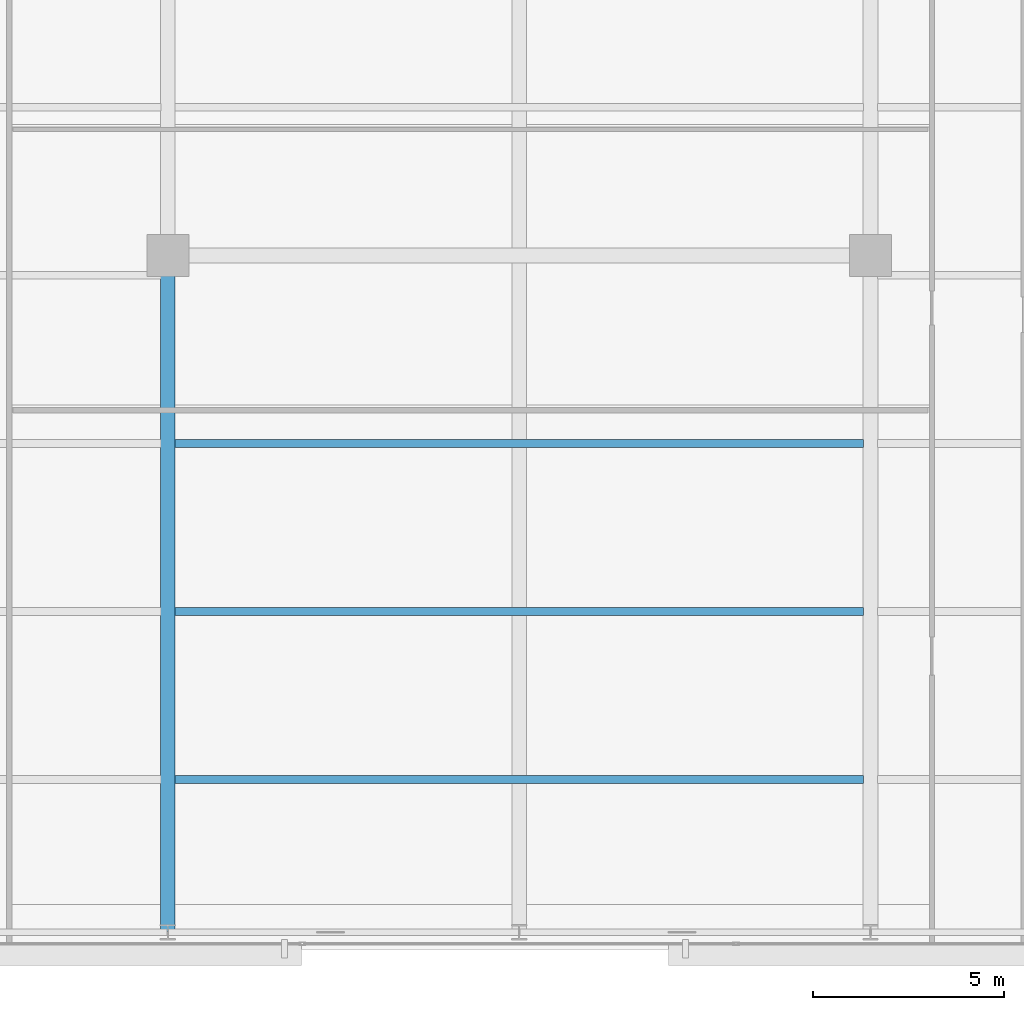
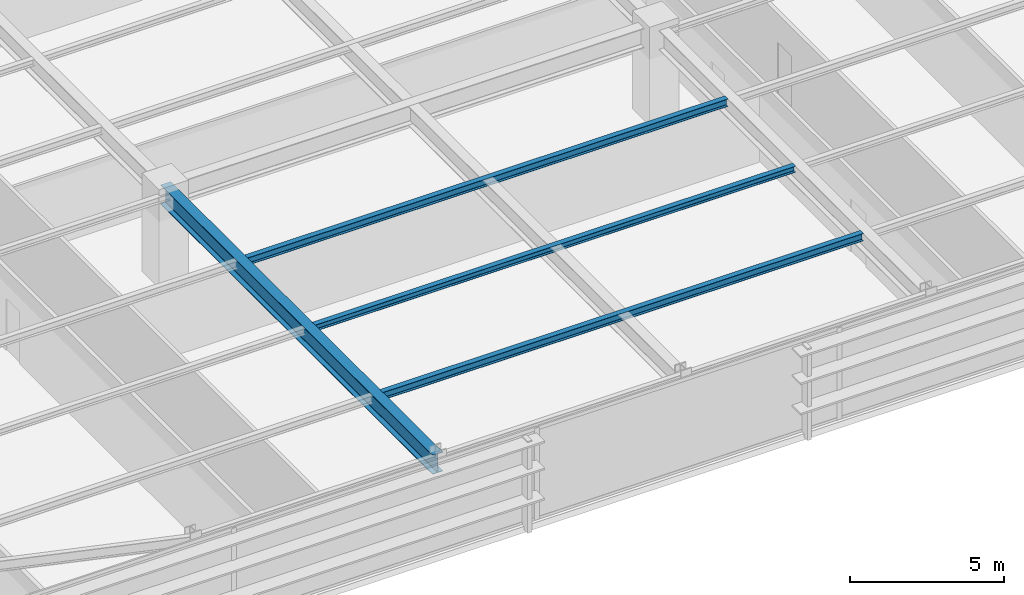
# One storey, part 7 of 32: 4 beams.
"""IFC4 building model written with IfcOpenShell, lengths in metres."""

from ifc_helpers import new_model, si_unit, direction, frame, origin, origin_2d, place, context, subcontext, project, spatial, i_section, extrude, source, transform, mapped, material, material_profile, profile_set, type_object, type_shapes, element, save


model = new_model("IFC4")

# Units and contexts
model_context = context("Model", 3, precision=1e-05, world=origin(), true_north=direction((0.0, 1.0)))
body_context = subcontext(model_context, "Body", "Model", "MODEL_VIEW")
ifc_project = project(units=[si_unit("LENGTHUNIT", "METRE"), si_unit("AREAUNIT", "SQUARE_METRE"), si_unit("VOLUMEUNIT", "CUBIC_METRE"), si_unit("PLANEANGLEUNIT", "RADIAN"), si_unit("MASSUNIT", "GRAM", prefix="KILO")], contexts=[model_context])

# Site, building, storey
site_placement = place(None, origin())
site = spatial("IfcSite", under=ifc_project, at=site_placement, CompositionType="ELEMENT")
building_placement = place(site_placement, origin())
building = spatial("IfcBuilding", under=site, at=building_placement, Name="Varnel Quay Broadcast Tower", CompositionType="ELEMENT")
storey_placement = place(building_placement, frame((0.0, 0.0, 70.5)))
storey = spatial("IfcBuildingStorey", under=building, at=storey_placement, Name="L16", CompositionType="ELEMENT", Elevation=70.5)

# Beams
ifc_material = material(Name="Structural Steel CSA G40.21 350W", Category="steel")
ifc_material_profile_1 = material_profile(ifc_material, i_section(OverallWidth=0.381103515625, OverallDepth=0.77294921875, WebThickness=0.0166015625, FlangeThickness=0.027587890625, FilletRadius=0.01806640625, at=origin_2d()), Name="W760X257")
ifc_profile_set_1 = profile_set([ifc_material_profile_1], Name="Structural Steel CSA G40.21 350W")
beam_type_1 = type_object("IfcBeamType", Name="Girder_W760X257", PredefinedType="BEAM", material=ifc_profile_set_1)
shared_shape_1 = source(origin(), body_context, "Body", "SweptSolid", [
    extrude(i_section(OverallWidth=0.381103515625, OverallDepth=0.77294921875, WebThickness=0.0166015625, FlangeThickness=0.027587890625, FilletRadius=0.01806640625, at=origin_2d()), origin(), (0.0, 0.0, 1.0), 17.68017578125),
])
type_shapes(beam_type_1, [shared_shape_1])
beam_1_placement = place(storey_placement, frame((24.800048828125, 1.669921875, 3.263427734375), z_axis=(0.0, 1.0, 0.0), x_axis=(-1.0, 0.0, 0.0)))
element("IfcBeam", 1, at=beam_1_placement, inside=storey, type_object=beam_type_1, Name="L16 Primary Girder TC-S2-IC-01", PredefinedType="BEAM", context=body_context, shape_type="MappedRepresentation", body=[
    mapped(shared_shape_1, transform((0.0, 0.0, 0.0), x_axis=(1.0, 0.0, 0.0), y_axis=(0.0, 1.0, 0.0), z_axis=(0.0, 0.0, 1.0), scale=1.0)),
])
ifc_material_profile_2 = material_profile(ifc_material, i_section(OverallWidth=0.202880859375, OverallDepth=0.302978515625, WebThickness=0.007568359375, FlangeThickness=0.01318359375, FilletRadius=0.011962890625, at=origin_2d()), Name="W310X60")
ifc_profile_set_2 = profile_set([ifc_material_profile_2], Name="Structural Steel CSA G40.21 350W")
beam_type_2 = type_object("IfcBeamType", Name="Beam_W310X60", PredefinedType="JOIST", material=ifc_profile_set_2)
shared_shape_2 = source(origin(), body_context, "Body", "SweptSolid", [
    extrude(i_section(OverallWidth=0.202880859375, OverallDepth=0.302978515625, WebThickness=0.007568359375, FlangeThickness=0.01318359375, FilletRadius=0.011962890625, at=origin_2d()), origin(), (0.0, 0.0, 1.0), 18.02880859375),
])
type_shapes(beam_type_2, [shared_shape_2])
for number, where, z_axis, x_axis, name in (
    (2, (24.985595703125, 5.64990234375, 3.49853515625), (1.0, 0.0, 0.0), (0.0, 1.0, 0.0), "L16 Central Floor Joist 1"),
    (3, (24.985595703125, 14.449951171875, 3.49853515625), (1.0, 0.0, 0.0), (0.0, 1.0, 0.0), "L16 Central Floor Joist 3"),
):
    element("IfcBeam", number, at=place(storey_placement, frame(where, z_axis=z_axis, x_axis=x_axis)), inside=storey, type_object=beam_type_2, Name=name, PredefinedType="JOIST", context=body_context, shape_type="MappedRepresentation", body=[
        mapped(shared_shape_2, transform((0.0, 0.0, 0.0), x_axis=(1.0, 0.0, 0.0), y_axis=(0.0, 1.0, 0.0), z_axis=(0.0, 0.0, 1.0), scale=1.0)),
    ])
ifc_material_profile_3 = material_profile(ifc_material, i_section(OverallWidth=0.201904296875, OverallDepth=0.2470703125, WebThickness=0.00732421875, FlangeThickness=0.010986328125, FilletRadius=0.010986328125, at=origin_2d()), Name="W250X49")
ifc_profile_set_3 = profile_set([ifc_material_profile_3], Name="Structural Steel CSA G40.21 350W")
beam_type_3 = type_object("IfcBeamType", Name="Beam_W250X49", PredefinedType="JOIST", material=ifc_profile_set_3)
shared_shape_3 = source(origin(), body_context, "Body", "SweptSolid", [
    extrude(i_section(OverallWidth=0.201904296875, OverallDepth=0.2470703125, WebThickness=0.00732421875, FlangeThickness=0.010986328125, FilletRadius=0.010986328125, at=origin_2d()), origin(), (0.0, 0.0, 1.0), 18.02880859375),
])
type_shapes(beam_type_3, [shared_shape_3])
beam_2_placement = place(storey_placement, frame((24.985595703125, 10.050048828125, 3.526611328125), z_axis=(1.0, 0.0, 0.0), x_axis=(0.0, 1.0, 0.0)))
element("IfcBeam", 4, at=beam_2_placement, inside=storey, type_object=beam_type_3, Name="L16 Central Floor Joist 2", PredefinedType="JOIST", context=body_context, shape_type="MappedRepresentation", body=[
    mapped(shared_shape_3, transform((0.0, 0.0, 0.0), x_axis=(1.0, 0.0, 0.0), y_axis=(0.0, 1.0, 0.0), z_axis=(0.0, 0.0, 1.0), scale=1.0)),
])

save(model, "model.ifc")
